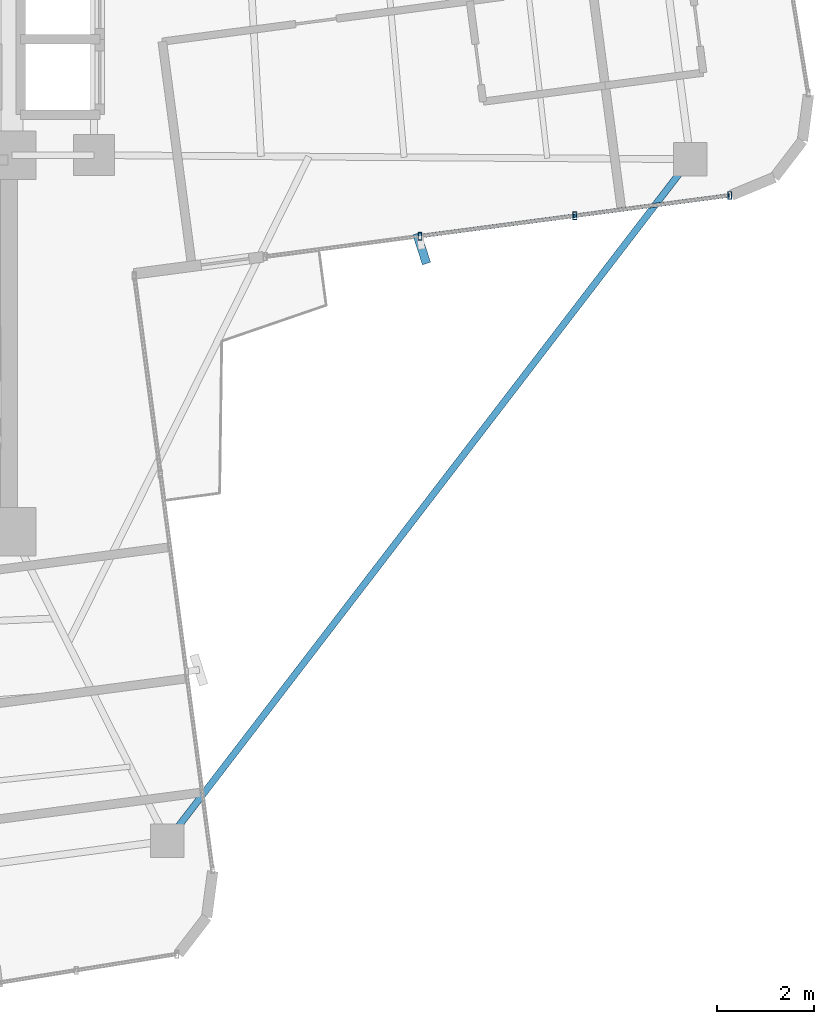
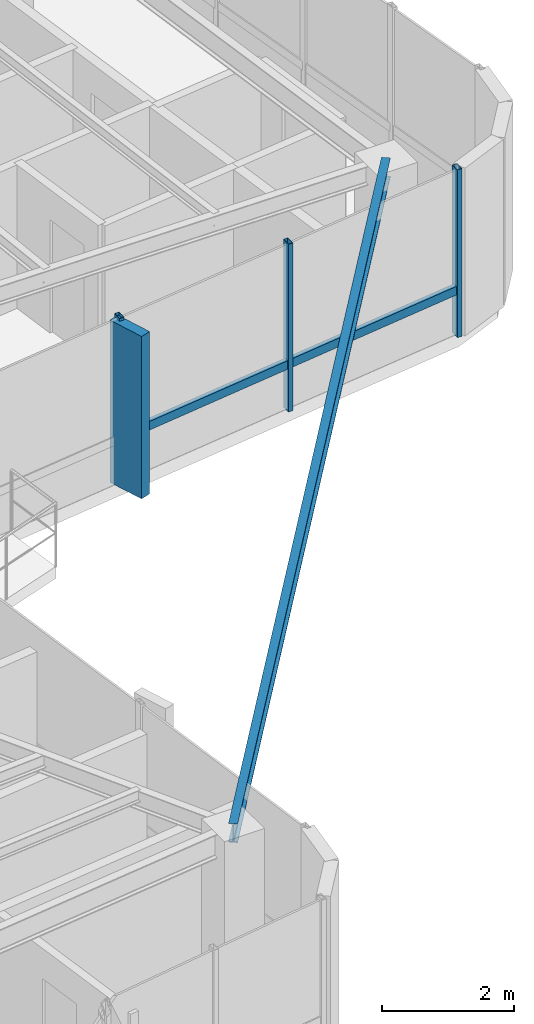
# One storey, part 11 of 22: 6 members, 1 beam, 1 element without a shape of its own.
"""IFC4 building model written with IfcOpenShell, lengths in metres."""

from ifc_helpers import new_model, si_unit, direction, frame, origin, origin_2d, place, context, subcontext, project, spatial, rectangle, hollow_rectangle, i_section, extrude, source, transform, mapped, material, material_profile, profile_set, type_object, element, aggregate, save


model = new_model("IFC4")

# Units and contexts
model_context = context("Model", 3, precision=1e-05, world=origin(), true_north=direction((0.0, 1.0)))
body_context = subcontext(model_context, "Body", "Model", "MODEL_VIEW")
ifc_project = project(units=[si_unit("LENGTHUNIT", "METRE"), si_unit("AREAUNIT", "SQUARE_METRE"), si_unit("VOLUMEUNIT", "CUBIC_METRE"), si_unit("PLANEANGLEUNIT", "RADIAN"), si_unit("MASSUNIT", "GRAM", prefix="KILO")], contexts=[model_context])

# Site, building, storey
site_placement = place(None, origin())
site = spatial("IfcSite", under=ifc_project, at=site_placement, CompositionType="ELEMENT")
building_placement = place(site_placement, origin())
building = spatial("IfcBuilding", under=site, at=building_placement, Name="Sahyath Konkavel Grand Hotel", CompositionType="ELEMENT")
storey_placement = place(building_placement, frame((0.0, 0.0, 223.25)))
storey = spatial("IfcBuildingStorey", under=building, at=storey_placement, Name="L62", CompositionType="ELEMENT", Elevation=223.25)

# Beam
ifc_material_1 = material(Name="Steel E350", Category="steel")
ifc_material_profile_1 = material_profile(ifc_material_1, i_section(OverallWidth=0.139892578125, OverallDepth=0.35009765625, WebThickness=0.008056640625, FlangeThickness=0.01416015625, FilletRadius=0.013916015625, at=origin_2d()), Name="ISMB 350")
ifc_profile_set_1 = profile_set([ifc_material_profile_1], Name="Steel E350")
beam_type = type_object("IfcBeamType", Name="BM-ISMB350", PredefinedType="BEAM", material=ifc_profile_set_1)
shared_shape_1 = source(origin(), body_context, "Body", "SweptSolid", [
    extrude(i_section(OverallWidth=0.139892578125, OverallDepth=0.35009765625, WebThickness=0.008056640625, FlangeThickness=0.01416015625, FilletRadius=0.013916015625, at=origin_2d()), origin(), (0.0, 0.0, 1.0), 17.792236328125),
])
beam_placement = place(storey_placement, frame((17.849853515625, -2.4833984375, 2.93505859375), z_axis=(-0.608765363283, -0.793350321401, 0.0), x_axis=(0.793350321401, -0.608765363283, 0.0)))
element("IfcBeam", 1, at=beam_placement, inside=storey, type_object=beam_type, Name="L62 Re-Entrant Tie Beam SE", PredefinedType="BEAM", context=body_context, shape_type="MappedRepresentation", body=[
    mapped(shared_shape_1, transform((0.0, 0.0, 0.0), scale=1.0)),
])

# Curtain wall, members
ifc_material_2 = material(Name="Anodised Bronze Aluminium & Low-E Glazing", Category="aluminium")
curtain_wall_type = type_object("IfcCurtainWallType", Name="CW-ZONE4", PredefinedType="NOTDEFINED", material=ifc_material_2)
curtain_wall_placement = place(storey_placement, origin())
curtain_wall = element("IfcCurtainWall", 2, at=curtain_wall_placement, inside=storey, type_object=curtain_wall_type, Name="L62 Unitised Curtain Wall F0", PredefinedType="NOTDEFINED")
ifc_material_3 = material(Name="Warm Buff Sandstone Cladding on Concrete C50/60", Category="masonry")
ifc_material_profile_2 = material_profile(ifc_material_3, rectangle(XDim=0.179931640625, YDim=0.64990234375, at=origin_2d()), Name="FIN 180x650")
ifc_profile_set_2 = profile_set([ifc_material_profile_2], Name="Warm Buff Sandstone Cladding on Concrete C50/60")
member_type_1 = type_object("IfcMemberType", Name="FIN-SANDSTONE-650", PredefinedType="MULLION", material=ifc_profile_set_2)
shared_shape_2 = source(origin(), body_context, "Body", "SweptSolid", [
    extrude(rectangle(XDim=0.179931640625, YDim=0.64990234375, at=origin_2d()), origin(), (0.0, 0.0, 1.0), 3.010009765625),
])
member_1_placement = place(storey_placement, frame((12.28662109375, -4.33544921875, 0.050048828125), z_axis=(0.0, 0.0, 1.0), x_axis=(0.951648033235, 0.307190528564, 0.0)))
member_1 = element("IfcMember", 3, at=member_1_placement, type_object=member_type_1, Name="L62 Sandstone Vertical Solar Fin FIN F0-1", PredefinedType="MULLION", context=body_context, shape_type="MappedRepresentation", body=[
    mapped(shared_shape_2, transform((0.0, 0.0, 0.0), scale=1.0)),
])
ifc_material_4 = material(Name="Anodised Bronze Aluminium", Category="aluminium")
ifc_material_profile_3 = material_profile(ifc_material_4, hollow_rectangle(XDim=0.080078125, YDim=0.159912109375, WallThickness=0.006103515625, at=origin_2d()), Name="RHS 160x80x6")
ifc_profile_set_3 = profile_set([ifc_material_profile_3], Name="Anodised Bronze Aluminium")
member_type_2 = type_object("IfcMemberType", Name="CW-MUL-160", PredefinedType="MULLION", material=ifc_profile_set_3)
shared_shape_3 = source(origin(), body_context, "Body", "SweptSolid", [
    extrude(hollow_rectangle(XDim=0.080078125, YDim=0.159912109375, WallThickness=0.006103515625, at=origin_2d()), origin(), (0.0, 0.0, 1.0), 3.110107421875),
])
member_2_placement = place(storey_placement, frame((12.252685546875, -4.07763671875, 0.0), z_axis=(0.0, 0.0, 1.0), x_axis=(1.0, 0.0, 0.0)))
member_2 = element("IfcMember", 4, at=member_2_placement, type_object=member_type_2, Name="L62 Curtain Wall Mullion F0-1", PredefinedType="MULLION", context=body_context, shape_type="MappedRepresentation", body=[
    mapped(shared_shape_3, transform((0.0, 0.0, 0.0), scale=1.0)),
])
member_3_placement = place(storey_placement, frame((15.458740234375, -3.655517578125, 0.0), z_axis=(0.0, 0.0, 1.0), x_axis=(1.0, 0.0, 0.0)))
member_3 = element("IfcMember", 5, at=member_3_placement, type_object=member_type_2, Name="L62 Curtain Wall Mullion F0-2", PredefinedType="MULLION", context=body_context, shape_type="MappedRepresentation", body=[
    mapped(shared_shape_3, transform((0.0, 0.0, 0.0), scale=1.0)),
])
member_4_placement = place(storey_placement, frame((18.664794921875, -3.2333984375, 0.0), z_axis=(0.0, 0.0, 1.0), x_axis=(1.0, 0.0, 0.0)))
member_4 = element("IfcMember", 6, at=member_4_placement, type_object=member_type_2, Name="L62 Curtain Wall Mullion F0-3", PredefinedType="MULLION", context=body_context, shape_type="MappedRepresentation", body=[
    mapped(shared_shape_3, transform((0.0, 0.0, 0.0), scale=1.0)),
])
ifc_material_profile_4 = material_profile(ifc_material_4, hollow_rectangle(XDim=0.080078125, YDim=0.159912109375, WallThickness=0.006103515625, at=origin_2d()), Name="RHS 160x80x6")
ifc_profile_set_4 = profile_set([ifc_material_profile_4], Name="Anodised Bronze Aluminium")
member_type_3 = type_object("IfcMemberType", Name="CW-TRN-160", PredefinedType="USERDEFINED", material=ifc_profile_set_4)
shared_shape_4 = source(origin(), body_context, "Body", "SweptSolid", [
    extrude(hollow_rectangle(XDim=0.080078125, YDim=0.159912109375, WallThickness=0.006103515625, at=origin_2d()), origin(), (0.0, 0.0, 1.0), 3.233642578125),
])
member_5_placement = place(storey_placement, frame((12.252685546875, -4.07763671875, 0.85009765625), z_axis=(0.991443499338, 0.130536537493, 0.0), x_axis=(-0.130536537493, 0.991443499338, 0.0)))
member_5 = element("IfcMember", 7, at=member_5_placement, type_object=member_type_3, Name="L62 Curtain Wall Transom F0-1-spandrel", ObjectType="TRANSOM", PredefinedType="USERDEFINED", context=body_context, shape_type="MappedRepresentation", body=[
    mapped(shared_shape_4, transform((0.0, 0.0, 0.0), scale=1.0)),
])
member_6_placement = place(storey_placement, frame((15.458740234375, -3.655517578125, 0.85009765625), z_axis=(0.991443499338, 0.130536537493, 0.0), x_axis=(-0.130536537493, 0.991443499338, 0.0)))
member_6 = element("IfcMember", 8, at=member_6_placement, type_object=member_type_3, Name="L62 Curtain Wall Transom F0-2-spandrel", ObjectType="TRANSOM", PredefinedType="USERDEFINED", context=body_context, shape_type="MappedRepresentation", body=[
    mapped(shared_shape_4, transform((0.0, 0.0, 0.0), scale=1.0)),
])
aggregate(curtain_wall, [member_2, member_1, member_3, member_4, member_5, member_6])

save(model, "model.ifc")
